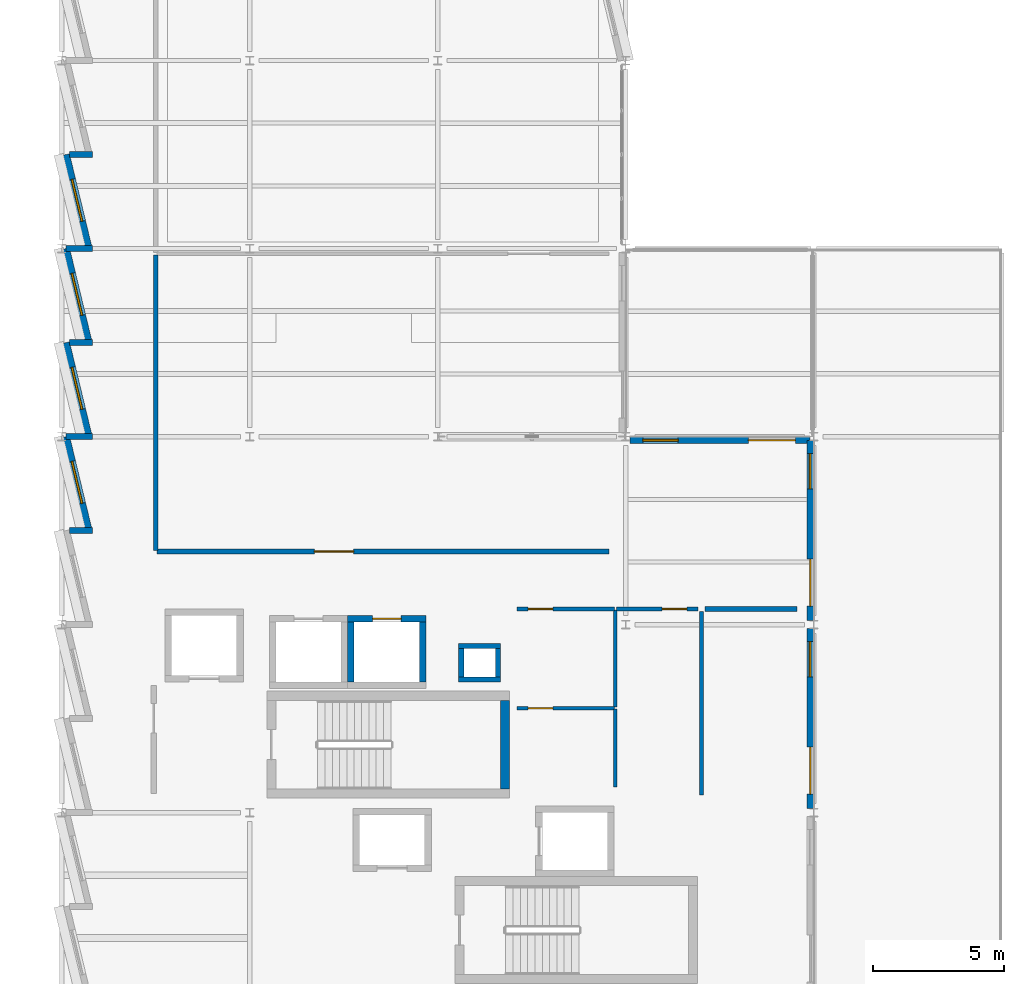
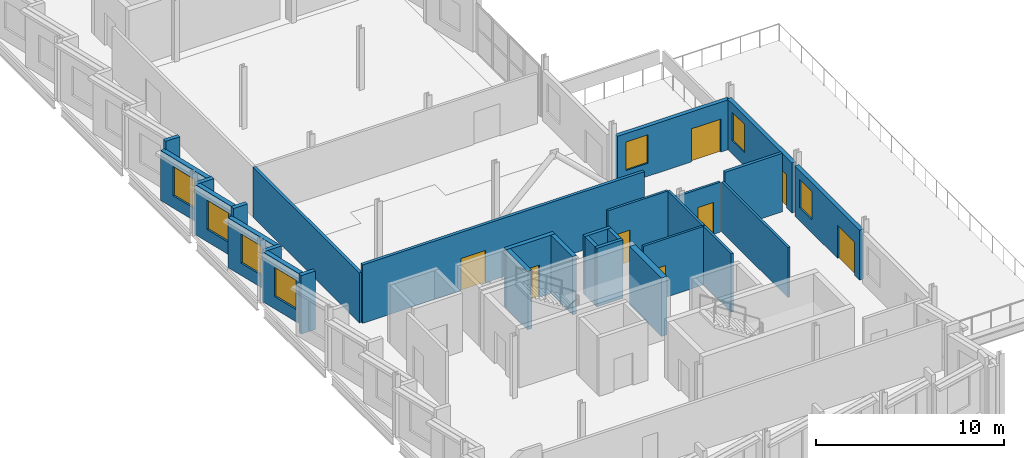
# One storey, part 14 of 18: 29 walls, 8 doors, 7 windows, 15 openings.
"""IFC4 building model written with IfcOpenShell, lengths in metres."""

from ifc_helpers import new_model, si_unit, direction, frame, frame_2d, origin, place, context, subcontext, project, spatial, rectangle, extrude, material, layer, layer_set, type_object, element, fill, save


model = new_model("IFC4")

# Units and contexts
model_context = context("Model", 3, precision=1e-05, world=origin(), true_north=direction((0.0, 1.0)))
body_context = subcontext(model_context, "Body", "Model", "MODEL_VIEW")
ifc_project = project(units=[si_unit("LENGTHUNIT", "METRE"), si_unit("AREAUNIT", "SQUARE_METRE"), si_unit("VOLUMEUNIT", "CUBIC_METRE"), si_unit("PLANEANGLEUNIT", "RADIAN"), si_unit("MASSUNIT", "GRAM", prefix="KILO")], contexts=[model_context])

# Site, building, storey
site_placement = place(None, origin())
site = spatial("IfcSite", under=ifc_project, at=site_placement, CompositionType="ELEMENT")
building_placement = place(site_placement, origin())
building = spatial("IfcBuilding", under=site, at=building_placement, Name="Kalmorath City Hall", CompositionType="ELEMENT")
storey_placement = place(building_placement, frame((0.0, 0.0, 27.0)))
storey = spatial("IfcBuildingStorey", under=building, at=storey_placement, Name="L06", CompositionType="ELEMENT", Elevation=27.0)

# Wall
ifc_material_1 = material(Name="Concrete C50/60", Category="concrete")
ifc_layer_1 = layer(ifc_material_1, 0.35009765625)
ifc_layer_set_1 = layer_set([ifc_layer_1], Name="Concrete C50/60")
wall_type_1 = type_object("IfcWallType", Name="Concrete core shear wall 350", PredefinedType="SHEAR", material=ifc_layer_set_1)
wall_1_placement = place(storey_placement, frame((16.97509765625, 15.300048828125, 0.0), z_axis=(0.0, 0.0, 1.0), x_axis=(0.0, 1.0, 0.0)))
element("IfcWall", 1, at=wall_1_placement, inside=storey, type_object=wall_type_1, Name="L06 C1 stair core shear wall E", PredefinedType="SHEAR", context=body_context, shape_type="SweptSolid", body=[
    extrude(rectangle(XDim=3.39990234375, YDim=0.35009765625, at=frame_2d((1.699951171875, 0.0))), origin(), (0.0, 0.0, 1.0), 3.800048828125),
])

# Wall, opening, door
ifc_material_2 = material(Name="Concrete C50/60", Category="concrete")
ifc_layer_2 = layer(ifc_material_2, 0.25)
ifc_layer_set_2 = layer_set([ifc_layer_2], Name="Concrete C50/60")
wall_type_2 = type_object("IfcWallType", Name="Concrete lift shaft wall 250", PredefinedType="SHEAR", material=ifc_layer_set_2)
wall_2_placement = place(storey_placement, frame((13.949951171875, 21.824951171875, 0.0), z_axis=(0.0, 0.0, 1.0), x_axis=(-1.0, 0.0, 0.0)))
wall_2 = element("IfcWall", 2, at=wall_2_placement, inside=storey, type_object=wall_type_2, Name="L06 PL2 lift shaft wall +y", PredefinedType="SHEAR", context=body_context, shape_type="SweptSolid", body=[
    extrude(rectangle(XDim=3.0, YDim=0.25, at=frame_2d((1.5, 0.0))), origin(), (0.0, 0.0, 1.0), 3.800048828125),
])
opening_1_placement = place(wall_2_placement, frame((0.949951171875, 0.0, 0.0)))
opening_1 = element("IfcOpeningElement", 3, at=opening_1_placement, cuts=wall_2, Name="Opening LD-035", PredefinedType="OPENING", context=body_context, shape_type="SweptSolid", body=[
    extrude(rectangle(XDim=1.10009765625, YDim=2.10009765625, at=frame_2d((0.550048828125, 1.050048828125))), frame((0.0, 0.135009765625, 0.0), z_axis=(0.0, -1.0, 0.0), x_axis=(1.0, 0.0, 0.0)), (0.0, 0.0, 1.0), 0.27001953125),
])
ifc_material_3 = material(Name="Stainless steel sliding landing door", Category="steel")
door_type_1 = type_object("IfcDoorType", Name="Passenger lift sliding landing door 1100x2100", OperationType="SLIDING_TO_LEFT", PredefinedType="DOOR", material=ifc_material_3)
door_1_placement = place(opening_1_placement, origin())
door_1 = element("IfcDoor", 4, at=door_1_placement, inside=storey, type_object=door_type_1, Name="L06 door LD-035", OperationType="SLIDING_TO_LEFT", OverallHeight=2.10009765625, OverallWidth=1.10009765625, PredefinedType="DOOR", context=body_context, shape_type="SweptSolid", body=[
    extrude(rectangle(XDim=1.10009765625, YDim=2.10009765625, at=frame_2d((0.550048828125, 1.050048828125))), frame((0.0, 0.02490234375, 0.0), z_axis=(0.0, -1.0, 0.0), x_axis=(1.0, 0.0, 0.0)), (0.0, 0.0, 1.0), 0.050048828125),
])
fill(opening_1, door_1)

# Walls
for number, where, z_axis, x_axis, name in (
    (5, (11.074951171875, 21.699951171875, 0.0), (0.0, 0.0, 1.0), (0.0, -1.0, 0.0), "L06 PL2 lift shaft wall -x"),
    (6, (13.824951171875, 19.39990234375, 0.0), (0.0, 0.0, 1.0), (0.0, 1.0, 0.0), "L06 PL2 lift shaft wall +x"),
):
    element("IfcWall", number, at=place(storey_placement, frame(where, z_axis=z_axis, x_axis=x_axis)), inside=storey, type_object=wall_type_2, Name=name, PredefinedType="SHEAR", context=body_context, shape_type="SweptSolid", body=[
        extrude(rectangle(XDim=2.300048828125, YDim=0.25, at=frame_2d((1.14990234375, 0.0))), origin(), (0.0, 0.0, 1.0), 3.800048828125),
    ])
ifc_material_4 = material(Name="Concrete C40/50", Category="concrete")
ifc_layer_3 = layer(ifc_material_4, 0.199951171875)
ifc_layer_set_3 = layer_set([ifc_layer_3], Name="Concrete C40/50")
wall_type_3 = type_object("IfcWallType", Name="Concrete service riser wall 200", PredefinedType="SOLIDWALL", material=ifc_layer_set_3)
for number, where, z_axis, x_axis, name in (
    (7, (15.199951171875, 19.5, 0.0), (0.0, 0.0, 1.0), (1.0, 0.0, 0.0), "L06 RSR-1 riser shaft wall S"),
    (8, (16.800048828125, 20.780029296875, 0.0), (0.0, 0.0, 1.0), (-1.0, 0.0, 0.0), "L06 RSR-1 riser shaft wall N"),
):
    element("IfcWall", number, at=place(storey_placement, frame(where, z_axis=z_axis, x_axis=x_axis)), inside=storey, type_object=wall_type_3, Name=name, PredefinedType="SOLIDWALL", context=body_context, shape_type="SweptSolid", body=[
        extrude(rectangle(XDim=1.60009765625, YDim=0.199951171875, at=frame_2d((0.800048828125, 0.0))), origin(), (0.0, 0.0, 1.0), 3.800048828125),
    ])
for number, where, z_axis, x_axis, name in (
    (9, (15.300048828125, 20.679931640625, 0.0), (0.0, 0.0, 1.0), (0.0, -1.0, 0.0), "L06 RSR-1 riser shaft wall W"),
    (10, (16.699951171875, 19.60009765625, 0.0), (0.0, 0.0, 1.0), (0.0, 1.0, 0.0), "L06 RSR-1 riser shaft wall E"),
):
    element("IfcWall", number, at=place(storey_placement, frame(where, z_axis=z_axis, x_axis=x_axis)), inside=storey, type_object=wall_type_3, Name=name, PredefinedType="SOLIDWALL", context=body_context, shape_type="SweptSolid", body=[
        extrude(rectangle(XDim=1.079833984375, YDim=0.199951171875, at=frame_2d((0.5400390625, 0.0))), origin(), (0.0, 0.0, 1.0), 3.800048828125),
    ])
ifc_material_5 = material(Name="Fire-rated acoustic gypsum partition")
ifc_layer_4 = layer(ifc_material_5, 0.179931640625)
ifc_layer_set_4 = layer_set([ifc_layer_4], Name="Fire-rated acoustic gypsum partition")
wall_type_4 = type_object("IfcWallType", Name="One-hour corridor fire partition 180", PredefinedType="PARTITIONING", material=ifc_layer_set_4)
wall_3_placement = place(storey_placement, frame((3.60009765625, 24.43994140625, 0.0), z_axis=(0.0, 0.0, 1.0), x_axis=(0.0, 1.0, 0.0)))
element("IfcWall", 11, at=wall_3_placement, inside=storey, type_object=wall_type_4, Name="L06 interior partition PW2 #185", PredefinedType="PARTITIONING", context=body_context, shape_type="SweptSolid", body=[
    extrude(rectangle(XDim=11.320068359375, YDim=0.179931640625, at=frame_2d((5.66015625, 0.0))), origin(), (0.0, 0.0, 1.0), 3.24609375),
])
wall_4_placement = place(storey_placement, frame((24.639892578125, 22.199951171875, 0.0), z_axis=(0.0, 0.0, 1.0), x_axis=(1.0, 0.0, 0.0)))
element("IfcWall", 12, at=wall_4_placement, inside=storey, type_object=wall_type_4, Name="L06 interior partition PW2 #187", PredefinedType="PARTITIONING", context=body_context, shape_type="SweptSolid", body=[
    extrude(rectangle(XDim=3.52001953125, YDim=0.179931640625, at=frame_2d((1.760009765625, 0.0))), origin(), (0.0, 0.0, 1.0), 3.800048828125),
])

# Wall, opening, door
wall_5_placement = place(storey_placement, frame((3.639892578125, 24.39990234375, 0.0), z_axis=(0.0, 0.0, 1.0), x_axis=(1.0, 0.0, 0.0)))
wall_5 = element("IfcWall", 13, at=wall_5_placement, inside=storey, type_object=wall_type_4, Name="L06 interior partition PW2 #188", PredefinedType="PARTITIONING", context=body_context, shape_type="SweptSolid", body=[
    extrude(rectangle(XDim=17.320068359375, YDim=0.179931640625, at=frame_2d((8.66015625, 0.0))), origin(), (0.0, 0.0, 1.0), 3.800048828125),
])
opening_2_placement = place(wall_5_placement, frame((6.03759765625, 0.0, 0.0)))
opening_2 = element("IfcOpeningElement", 14, at=opening_2_placement, cuts=wall_5, Name="Opening D-L06-263", PredefinedType="OPENING", context=body_context, shape_type="SweptSolid", body=[
    extrude(rectangle(XDim=1.5, YDim=2.10009765625, at=frame_2d((0.75, 1.050048828125))), frame((0.0, 0.099853515625, 0.0), z_axis=(0.0, -1.0, 0.0), x_axis=(1.0, 0.0, 0.0)), (0.0, 0.0, 1.0), 0.199951171875),
])
ifc_material_6 = material(Name="Hardwood veneer door", Category="wood")
door_type_2 = type_object("IfcDoorType", Name="Conference suite double door 1500x2100", OperationType="DOUBLE_DOOR_SINGLE_SWING", PredefinedType="DOOR", material=ifc_material_6)
door_2_placement = place(opening_2_placement, origin())
door_2 = element("IfcDoor", 15, at=door_2_placement, inside=storey, type_object=door_type_2, Name="L06 door D-L06-263", OperationType="DOUBLE_DOOR_SINGLE_SWING", OverallHeight=2.10009765625, OverallWidth=1.5, PredefinedType="DOOR", context=body_context, shape_type="SweptSolid", body=[
    extrude(rectangle(XDim=1.5, YDim=2.10009765625, at=frame_2d((0.75, 1.050048828125))), frame((0.0, 0.02490234375, 0.0), z_axis=(0.0, -1.0, 0.0), x_axis=(1.0, 0.0, 0.0)), (0.0, 0.0, 1.0), 0.050048828125),
])
fill(opening_2, door_2)

# Walls
ifc_material_7 = material(Name="Precast concrete C40/50", Category="concrete")
ifc_layer_5 = layer(ifc_material_7, 0.239990234375)
ifc_layer_set_5 = layer_set([ifc_layer_5], Name="Precast concrete C40/50")
wall_type_5 = type_object("IfcWallType", Name="Precast sawtooth cheek wall 240", PredefinedType="SOLIDWALL", material=ifc_layer_set_5)
wall_6_placement = place(storey_placement, frame((1.169189453125, 39.60009765625, 0.0), z_axis=(0.0, 0.0, 1.0), x_axis=(-1.0, 0.0, 0.0)))
element("IfcWall", 16, at=wall_6_placement, inside=storey, type_object=wall_type_5, Name="L06 sawtooth return cheek #1024", PredefinedType="SOLIDWALL", context=body_context, shape_type="SweptSolid", body=[
    extrude(rectangle(XDim=0.877197265625, YDim=0.239990234375, at=frame_2d((0.4384765625, 0.0))), origin(), (0.0, 0.0, 1.0), 3.800048828125),
])
wall_7_placement = place(storey_placement, frame((1.169189453125, 36.0, 0.0), z_axis=(0.0, 0.0, 1.0), x_axis=(-1.0, 0.0, 0.0)))
element("IfcWall", 17, at=wall_7_placement, inside=storey, type_object=wall_type_5, Name="L06 sawtooth return cheek #1026", PredefinedType="SOLIDWALL", context=body_context, shape_type="SweptSolid", body=[
    extrude(rectangle(XDim=1.0146484375, YDim=0.239990234375, at=frame_2d((0.50732421875, 0.0))), origin(), (0.0, 0.0, 1.0), 3.256103515625),
])
wall_8_placement = place(storey_placement, frame((1.169189453125, 32.39990234375, 0.0), z_axis=(0.0, 0.0, 1.0), x_axis=(-1.0, 0.0, 0.0)))
element("IfcWall", 18, at=wall_8_placement, inside=storey, type_object=wall_type_5, Name="L06 sawtooth return cheek #1028", PredefinedType="SOLIDWALL", context=body_context, shape_type="SweptSolid", body=[
    extrude(rectangle(XDim=0.877197265625, YDim=0.239990234375, at=frame_2d((0.4384765625, 0.0))), origin(), (0.0, 0.0, 1.0), 3.800048828125),
])
wall_9_placement = place(storey_placement, frame((1.169189453125, 28.800048828125, 0.0), z_axis=(0.0, 0.0, 1.0), x_axis=(-1.0, 0.0, 0.0)))
element("IfcWall", 19, at=wall_9_placement, inside=storey, type_object=wall_type_5, Name="L06 sawtooth return cheek #1030", PredefinedType="SOLIDWALL", context=body_context, shape_type="SweptSolid", body=[
    extrude(rectangle(XDim=1.0146484375, YDim=0.239990234375, at=frame_2d((0.50732421875, 0.0))), origin(), (0.0, 0.0, 1.0), 3.24609375),
])
wall_10_placement = place(storey_placement, frame((1.169189453125, 25.199951171875, 0.0), z_axis=(0.0, 0.0, 1.0), x_axis=(-1.0, 0.0, 0.0)))
element("IfcWall", 20, at=wall_10_placement, inside=storey, type_object=wall_type_5, Name="L06 sawtooth return cheek #1032", PredefinedType="SOLIDWALL", context=body_context, shape_type="SweptSolid", body=[
    extrude(rectangle(XDim=0.877197265625, YDim=0.239990234375, at=frame_2d((0.4384765625, 0.0))), origin(), (0.0, 0.0, 1.0), 3.800048828125),
])

# Wall, opening, window
ifc_material_8 = material(Name="Precast concrete C40/50", Category="concrete")
ifc_layer_6 = layer(ifc_material_8, 0.280029296875)
ifc_layer_set_6 = layer_set([ifc_layer_6], Name="Precast concrete C40/50")
wall_type_6 = type_object("IfcWallType", Name="Precast sawtooth facade wall 280", PredefinedType="SOLIDWALL", material=ifc_layer_set_6)
wall_11_placement = place(storey_placement, frame((0.159912109375, 39.60009765625, 0.0), z_axis=(0.0, 0.0, 1.0), x_axis=(0.233480453725, -0.972361495396, 0.0)))
wall_11 = element("IfcWall", 21, at=wall_11_placement, inside=storey, type_object=wall_type_6, Name="L06 sawtooth precast frame #1025", PredefinedType="SOLIDWALL", context=body_context, shape_type="SweptSolid", body=[
    extrude(rectangle(XDim=3.607421875, YDim=0.280029296875, at=frame_2d((1.8037109375, 0.0))), origin(), (0.0, 0.0, 1.0), 3.256103515625),
])
opening_3_placement = place(wall_11_placement, frame((0.978515625, 0.0, 0.800048828125)))
opening_3 = element("IfcOpeningElement", 22, at=opening_3_placement, cuts=wall_11, Name="Opening WN2", PredefinedType="OPENING", context=body_context, shape_type="SweptSolid", body=[
    extrude(rectangle(XDim=1.64990234375, YDim=1.89990234375, at=frame_2d((0.824951171875, 0.949951171875))), frame((0.0, 0.14990234375, 0.0), z_axis=(0.0, -1.0, 0.0), x_axis=(1.0, 0.0, 0.0)), (0.0, 0.0, 1.0), 0.300048828125),
])
ifc_material_9 = material(Name="Aluminium and laminated glass", Category="aluminium")
window_type_1 = type_object("IfcWindowType", Name="Sawtooth hurricane window 1650x1900", PartitioningType="SINGLE_PANEL", PredefinedType="WINDOW", material=ifc_material_9)
window_1_placement = place(opening_3_placement, origin())
window_1 = element("IfcWindow", 23, at=window_1_placement, inside=storey, type_object=window_type_1, Name="L06 window WN2-525", OverallHeight=1.89990234375, OverallWidth=1.64990234375, PartitioningType="SINGLE_PANEL", PredefinedType="WINDOW", context=body_context, shape_type="SweptSolid", body=[
    extrude(rectangle(XDim=1.64990234375, YDim=1.89990234375, at=frame_2d((0.824951171875, 0.949951171875))), frame((0.0, 0.030029296875, 0.0), z_axis=(0.0, -1.0, 0.0), x_axis=(1.0, 0.0, 0.0)), (0.0, 0.0, 1.0), 0.06005859375),
])
fill(opening_3, window_1)

wall_12_placement = place(storey_placement, frame((0.159912109375, 36.0, 0.0), z_axis=(0.0, 0.0, 1.0), x_axis=(0.233495818898, -0.972357805829, 0.0)))
wall_12 = element("IfcWall", 24, at=wall_12_placement, inside=storey, type_object=wall_type_6, Name="L06 sawtooth precast frame #1027", PredefinedType="SOLIDWALL", context=body_context, shape_type="SweptSolid", body=[
    extrude(rectangle(XDim=3.607177734375, YDim=0.280029296875, at=frame_2d((1.8037109375, 0.0))), origin(), (0.0, 0.0, 1.0), 3.256103515625),
])
opening_4_placement = place(wall_12_placement, frame((0.978515625, 0.0, 0.800048828125)))
opening_4 = element("IfcOpeningElement", 25, at=opening_4_placement, cuts=wall_12, Name="Opening WN2", PredefinedType="OPENING", context=body_context, shape_type="SweptSolid", body=[
    extrude(rectangle(XDim=1.64990234375, YDim=1.89990234375, at=frame_2d((0.824951171875, 0.949951171875))), frame((0.0, 0.14990234375, 0.0), z_axis=(0.0, -1.0, 0.0), x_axis=(1.0, 0.0, 0.0)), (0.0, 0.0, 1.0), 0.300048828125),
])
window_2_placement = place(opening_4_placement, origin())
window_2 = element("IfcWindow", 26, at=window_2_placement, inside=storey, type_object=window_type_1, Name="L06 window WN2-526", OverallHeight=1.89990234375, OverallWidth=1.64990234375, PartitioningType="SINGLE_PANEL", PredefinedType="WINDOW", context=body_context, shape_type="SweptSolid", body=[
    extrude(rectangle(XDim=1.64990234375, YDim=1.89990234375, at=frame_2d((0.824951171875, 0.949951171875))), frame((0.0, 0.030029296875, 0.0), z_axis=(0.0, -1.0, 0.0), x_axis=(1.0, 0.0, 0.0)), (0.0, 0.0, 1.0), 0.06005859375),
])
fill(opening_4, window_2)

wall_13_placement = place(storey_placement, frame((0.159912109375, 32.39990234375, 0.0), z_axis=(0.0, 0.0, 1.0), x_axis=(0.233495818898, -0.972357805829, 0.0)))
wall_13 = element("IfcWall", 27, at=wall_13_placement, inside=storey, type_object=wall_type_6, Name="L06 sawtooth precast frame #1029", PredefinedType="SOLIDWALL", context=body_context, shape_type="SweptSolid", body=[
    extrude(rectangle(XDim=3.607177734375, YDim=0.280029296875, at=frame_2d((1.8037109375, 0.0))), origin(), (0.0, 0.0, 1.0), 3.24609375),
])
opening_5_placement = place(wall_13_placement, frame((0.978515625, 0.0, 0.800048828125)))
opening_5 = element("IfcOpeningElement", 28, at=opening_5_placement, cuts=wall_13, Name="Opening WN2", PredefinedType="OPENING", context=body_context, shape_type="SweptSolid", body=[
    extrude(rectangle(XDim=1.64990234375, YDim=1.89990234375, at=frame_2d((0.824951171875, 0.949951171875))), frame((0.0, 0.14990234375, 0.0), z_axis=(0.0, -1.0, 0.0), x_axis=(1.0, 0.0, 0.0)), (0.0, 0.0, 1.0), 0.300048828125),
])
window_3_placement = place(opening_5_placement, origin())
window_3 = element("IfcWindow", 29, at=window_3_placement, inside=storey, type_object=window_type_1, Name="L06 window WN2-527", OverallHeight=1.89990234375, OverallWidth=1.64990234375, PartitioningType="SINGLE_PANEL", PredefinedType="WINDOW", context=body_context, shape_type="SweptSolid", body=[
    extrude(rectangle(XDim=1.64990234375, YDim=1.89990234375, at=frame_2d((0.824951171875, 0.949951171875))), frame((0.0, 0.030029296875, 0.0), z_axis=(0.0, -1.0, 0.0), x_axis=(1.0, 0.0, 0.0)), (0.0, 0.0, 1.0), 0.06005859375),
])
fill(opening_5, window_3)

wall_14_placement = place(storey_placement, frame((0.159912109375, 28.800048828125, 0.0), z_axis=(0.0, 0.0, 1.0), x_axis=(0.233495818898, -0.972357805829, 0.0)))
wall_14 = element("IfcWall", 30, at=wall_14_placement, inside=storey, type_object=wall_type_6, Name="L06 sawtooth precast frame #1031", PredefinedType="SOLIDWALL", context=body_context, shape_type="SweptSolid", body=[
    extrude(rectangle(XDim=3.607177734375, YDim=0.280029296875, at=frame_2d((1.8037109375, 0.0))), origin(), (0.0, 0.0, 1.0), 3.24609375),
])
opening_6_placement = place(wall_14_placement, frame((0.978515625, 0.0, 0.800048828125)))
opening_6 = element("IfcOpeningElement", 31, at=opening_6_placement, cuts=wall_14, Name="Opening WN2", PredefinedType="OPENING", context=body_context, shape_type="SweptSolid", body=[
    extrude(rectangle(XDim=1.64990234375, YDim=1.89990234375, at=frame_2d((0.824951171875, 0.949951171875))), frame((0.0, 0.14990234375, 0.0), z_axis=(0.0, -1.0, 0.0), x_axis=(1.0, 0.0, 0.0)), (0.0, 0.0, 1.0), 0.300048828125),
])
window_4_placement = place(opening_6_placement, origin())
window_4 = element("IfcWindow", 32, at=window_4_placement, inside=storey, type_object=window_type_1, Name="L06 window WN2-528", OverallHeight=1.89990234375, OverallWidth=1.64990234375, PartitioningType="SINGLE_PANEL", PredefinedType="WINDOW", context=body_context, shape_type="SweptSolid", body=[
    extrude(rectangle(XDim=1.64990234375, YDim=1.89990234375, at=frame_2d((0.824951171875, 0.949951171875))), frame((0.0, 0.030029296875, 0.0), z_axis=(0.0, -1.0, 0.0), x_axis=(1.0, 0.0, 0.0)), (0.0, 0.0, 1.0), 0.06005859375),
])
fill(opening_6, window_4)

# Wall, openings, door, window
ifc_material_10 = material(Name="Precast concrete C40/50", Category="concrete")
ifc_layer_7 = layer(ifc_material_10, 0.239990234375)
ifc_layer_set_7 = layer_set([ifc_layer_7], Name="Precast concrete C40/50")
wall_type_7 = type_object("IfcWallType", Name="Recessed loggia insulated wall 240", PredefinedType="SOLIDWALL", material=ifc_layer_set_7)
wall_15_placement = place(storey_placement, frame((28.659912109375, 14.554931640625, 0.0), z_axis=(0.0, 0.0, 1.0), x_axis=(0.0, 1.0, 0.0)))
wall_15 = element("IfcWall", 33, at=wall_15_placement, inside=storey, type_object=wall_type_7, Name="L06 loggia wall #983", PredefinedType="SOLIDWALL", context=body_context, shape_type="SweptSolid", body=[
    extrude(rectangle(XDim=6.89013671875, YDim=0.239990234375, at=frame_2d((3.445068359375, 0.0))), origin(), (0.0, 0.0, 1.0), 3.256103515625),
])
opening_7_placement = place(wall_15_placement, frame((0.550048828125, 0.0, 0.0)))
opening_7 = element("IfcOpeningElement", 34, at=opening_7_placement, cuts=wall_15, Name="Opening D-E038", PredefinedType="OPENING", context=body_context, shape_type="SweptSolid", body=[
    extrude(rectangle(XDim=1.800048828125, YDim=2.14990234375, at=frame_2d((0.89990234375, 1.074951171875))), frame((0.0, 0.1298828125, 0.0), z_axis=(0.0, -1.0, 0.0), x_axis=(1.0, 0.0, 0.0)), (0.0, 0.0, 1.0), 0.260009765625),
])
opening_8_placement = place(wall_15_placement, frame((5.0400390625, 0.0, 0.85009765625)))
opening_8 = element("IfcOpeningElement", 35, at=opening_8_placement, cuts=wall_15, Name="Opening WN17", PredefinedType="OPENING", context=body_context, shape_type="SweptSolid", body=[
    extrude(rectangle(XDim=1.35009765625, YDim=1.85009765625, at=frame_2d((0.675048828125, 0.925048828125))), frame((0.0, 0.1298828125, 0.0), z_axis=(0.0, -1.0, 0.0), x_axis=(1.0, 0.0, 0.0)), (0.0, 0.0, 1.0), 0.260009765625),
])
ifc_material_11 = material(Name="Bronze-anodised aluminium and glass", Category="aluminium")
door_type_3 = type_object("IfcDoorType", Name="Roof garden double terrace door 1800x2150", OperationType="DOUBLE_DOOR_SINGLE_SWING", PredefinedType="DOOR", material=ifc_material_11)
door_3_placement = place(opening_7_placement, frame((1.800048828125, 0.0, 0.0), z_axis=(0.0, 0.0, 1.0), x_axis=(-1.0, 0.0, 0.0)))
door_3 = element("IfcDoor", 36, at=door_3_placement, inside=storey, type_object=door_type_3, Name="L06 exterior door D-E038", OperationType="DOUBLE_DOOR_SINGLE_SWING", OverallHeight=2.14990234375, OverallWidth=1.800048828125, PredefinedType="DOOR", context=body_context, shape_type="SweptSolid", body=[
    extrude(rectangle(XDim=1.800048828125, YDim=2.14990234375, at=frame_2d((0.89990234375, 1.074951171875))), frame((0.0, 0.02490234375, 0.0), z_axis=(0.0, -1.0, 0.0), x_axis=(1.0, 0.0, 0.0)), (0.0, 0.0, 1.0), 0.050048828125),
])
fill(opening_7, door_3)
ifc_material_12 = material(Name="Hardwood-trimmed laminated glass", Category="wood")
window_type_2 = type_object("IfcWindowType", Name="Terrace overlook window 1350x1850", PartitioningType="SINGLE_PANEL", PredefinedType="WINDOW", material=ifc_material_12)
window_5_placement = place(opening_8_placement, origin())
window_5 = element("IfcWindow", 37, at=window_5_placement, inside=storey, type_object=window_type_2, Name="L06 window WN17-504", OverallHeight=1.85009765625, OverallWidth=1.35009765625, PartitioningType="SINGLE_PANEL", PredefinedType="WINDOW", context=body_context, shape_type="SweptSolid", body=[
    extrude(rectangle(XDim=1.35009765625, YDim=1.85009765625, at=frame_2d((0.675048828125, 0.925048828125))), frame((0.0, 0.030029296875, 0.0), z_axis=(0.0, -1.0, 0.0), x_axis=(1.0, 0.0, 0.0)), (0.0, 0.0, 1.0), 0.06005859375),
])
fill(opening_8, window_5)

wall_16_placement = place(storey_placement, frame((28.659912109375, 21.7548828125, 0.0), z_axis=(0.0, 0.0, 1.0), x_axis=(0.0, 1.0, 0.0)))
wall_16 = element("IfcWall", 38, at=wall_16_placement, inside=storey, type_object=wall_type_7, Name="L06 loggia wall #984", PredefinedType="SOLIDWALL", context=body_context, shape_type="SweptSolid", body=[
    extrude(rectangle(XDim=6.89013671875, YDim=0.239990234375, at=frame_2d((3.445068359375, 0.0))), origin(), (0.0, 0.0, 1.0), 3.256103515625),
])
opening_9_placement = place(wall_16_placement, frame((0.550048828125, 0.0, 0.0)))
opening_9 = element("IfcOpeningElement", 39, at=opening_9_placement, cuts=wall_16, Name="Opening D-E039", PredefinedType="OPENING", context=body_context, shape_type="SweptSolid", body=[
    extrude(rectangle(XDim=1.800048828125, YDim=2.14990234375, at=frame_2d((0.89990234375, 1.074951171875))), frame((0.0, 0.1298828125, 0.0), z_axis=(0.0, -1.0, 0.0), x_axis=(1.0, 0.0, 0.0)), (0.0, 0.0, 1.0), 0.260009765625),
])
opening_10_placement = place(wall_16_placement, frame((5.0400390625, 0.0, 0.85009765625)))
opening_10 = element("IfcOpeningElement", 40, at=opening_10_placement, cuts=wall_16, Name="Opening WN17", PredefinedType="OPENING", context=body_context, shape_type="SweptSolid", body=[
    extrude(rectangle(XDim=1.35009765625, YDim=1.85009765625, at=frame_2d((0.675048828125, 0.925048828125))), frame((0.0, 0.1298828125, 0.0), z_axis=(0.0, -1.0, 0.0), x_axis=(1.0, 0.0, 0.0)), (0.0, 0.0, 1.0), 0.260009765625),
])
door_4_placement = place(opening_9_placement, frame((1.800048828125, 0.0, 0.0), z_axis=(0.0, 0.0, 1.0), x_axis=(-1.0, 0.0, 0.0)))
door_4 = element("IfcDoor", 41, at=door_4_placement, inside=storey, type_object=door_type_3, Name="L06 exterior door D-E039", OperationType="DOUBLE_DOOR_SINGLE_SWING", OverallHeight=2.14990234375, OverallWidth=1.800048828125, PredefinedType="DOOR", context=body_context, shape_type="SweptSolid", body=[
    extrude(rectangle(XDim=1.800048828125, YDim=2.14990234375, at=frame_2d((0.89990234375, 1.074951171875))), frame((0.0, 0.02490234375, 0.0), z_axis=(0.0, -1.0, 0.0), x_axis=(1.0, 0.0, 0.0)), (0.0, 0.0, 1.0), 0.050048828125),
])
fill(opening_9, door_4)
window_6_placement = place(opening_10_placement, origin())
window_6 = element("IfcWindow", 42, at=window_6_placement, inside=storey, type_object=window_type_2, Name="L06 window WN17-505", OverallHeight=1.85009765625, OverallWidth=1.35009765625, PartitioningType="SINGLE_PANEL", PredefinedType="WINDOW", context=body_context, shape_type="SweptSolid", body=[
    extrude(rectangle(XDim=1.35009765625, YDim=1.85009765625, at=frame_2d((0.675048828125, 0.925048828125))), frame((0.0, 0.030029296875, 0.0), z_axis=(0.0, -1.0, 0.0), x_axis=(1.0, 0.0, 0.0)), (0.0, 0.0, 1.0), 0.06005859375),
])
fill(opening_10, window_6)

wall_17_placement = place(storey_placement, frame((28.646484375, 28.659912109375, 0.0), z_axis=(0.0, 0.0, 1.0), x_axis=(-1.0, 0.0, 0.0)))
wall_17 = element("IfcWall", 43, at=wall_17_placement, inside=storey, type_object=wall_type_7, Name="L06 loggia wall #985", PredefinedType="SOLIDWALL", context=body_context, shape_type="SweptSolid", body=[
    extrude(rectangle(XDim=6.89306640625, YDim=0.239990234375, at=frame_2d((3.446533203125, 0.0))), origin(), (0.0, 0.0, 1.0), 3.24609375),
])
opening_11_placement = place(wall_17_placement, frame((0.550048828125, 0.0, 0.0)))
opening_11 = element("IfcOpeningElement", 44, at=opening_11_placement, cuts=wall_17, Name="Opening D-E040", PredefinedType="OPENING", context=body_context, shape_type="SweptSolid", body=[
    extrude(rectangle(XDim=1.800048828125, YDim=2.14990234375, at=frame_2d((0.89990234375, 1.074951171875))), frame((0.0, 0.1298828125, 0.0), z_axis=(0.0, -1.0, 0.0), x_axis=(1.0, 0.0, 0.0)), (0.0, 0.0, 1.0), 0.260009765625),
])
opening_12_placement = place(wall_17_placement, frame((5.04296875, 0.0, 0.85009765625)))
opening_12 = element("IfcOpeningElement", 45, at=opening_12_placement, cuts=wall_17, Name="Opening WN17", PredefinedType="OPENING", context=body_context, shape_type="SweptSolid", body=[
    extrude(rectangle(XDim=1.35009765625, YDim=1.85009765625, at=frame_2d((0.675048828125, 0.925048828125))), frame((0.0, 0.1298828125, 0.0), z_axis=(0.0, -1.0, 0.0), x_axis=(1.0, 0.0, 0.0)), (0.0, 0.0, 1.0), 0.260009765625),
])
door_5_placement = place(opening_11_placement, frame((1.800048828125, 0.0, 0.0), z_axis=(0.0, 0.0, 1.0), x_axis=(-1.0, 0.0, 0.0)))
door_5 = element("IfcDoor", 46, at=door_5_placement, inside=storey, type_object=door_type_3, Name="L06 exterior door D-E040", OperationType="DOUBLE_DOOR_SINGLE_SWING", OverallHeight=2.14990234375, OverallWidth=1.800048828125, PredefinedType="DOOR", context=body_context, shape_type="SweptSolid", body=[
    extrude(rectangle(XDim=1.800048828125, YDim=2.14990234375, at=frame_2d((0.89990234375, 1.074951171875))), frame((0.0, 0.02490234375, 0.0), z_axis=(0.0, -1.0, 0.0), x_axis=(1.0, 0.0, 0.0)), (0.0, 0.0, 1.0), 0.050048828125),
])
fill(opening_11, door_5)
window_7_placement = place(opening_12_placement, origin())
window_7 = element("IfcWindow", 47, at=window_7_placement, inside=storey, type_object=window_type_2, Name="L06 window WN17-506", OverallHeight=1.85009765625, OverallWidth=1.35009765625, PartitioningType="SINGLE_PANEL", PredefinedType="WINDOW", context=body_context, shape_type="SweptSolid", body=[
    extrude(rectangle(XDim=1.35009765625, YDim=1.85009765625, at=frame_2d((0.675048828125, 0.925048828125))), frame((0.0, 0.030029296875, 0.0), z_axis=(0.0, -1.0, 0.0), x_axis=(1.0, 0.0, 0.0)), (0.0, 0.0, 1.0), 0.06005859375),
])
fill(opening_12, window_7)

# Wall, opening, door
ifc_material_13 = material(Name="Moisture-resistant fire-rated partition")
ifc_layer_8 = layer(ifc_material_13, 0.139892578125)
ifc_layer_set_8 = layer_set([ifc_layer_8], Name="Moisture-resistant fire-rated partition")
wall_type_8 = type_object("IfcWallType", Name="Restroom wet-wall tile partition 140", PredefinedType="PARTITIONING", material=ifc_layer_set_8)
wall_18_placement = place(storey_placement, frame((17.43994140625, 22.199951171875, 0.0), z_axis=(0.0, 0.0, 1.0), x_axis=(1.0, 0.0, 0.0)))
wall_18 = element("IfcWall", 48, at=wall_18_placement, inside=storey, type_object=wall_type_8, Name="L06 interior partition PW5 #189", PredefinedType="PARTITIONING", context=body_context, shape_type="SweptSolid", body=[
    extrude(rectangle(XDim=3.719970703125, YDim=0.139892578125, at=frame_2d((1.85986328125, 0.0))), origin(), (0.0, 0.0, 1.0), 3.800048828125),
])
opening_13_placement = place(wall_18_placement, frame((0.419921875, 0.0, 0.0)))
opening_13 = element("IfcOpeningElement", 49, at=opening_13_placement, cuts=wall_18, Name="Opening D-L06-269", PredefinedType="OPENING", context=body_context, shape_type="SweptSolid", body=[
    extrude(rectangle(XDim=0.949951171875, YDim=2.080078125, at=frame_2d((0.47509765625, 1.0400390625))), frame((0.0, 0.079833984375, 0.0), z_axis=(0.0, -1.0, 0.0), x_axis=(1.0, 0.0, 0.0)), (0.0, 0.0, 1.0), 0.159912109375),
])
ifc_material_14 = material(Name="Laminate solid-core door")
door_type_4 = type_object("IfcDoorType", Name="Restroom accessible door 950x2080", OperationType="NOTDEFINED", PredefinedType="DOOR", material=ifc_material_14)
door_6_placement = place(opening_13_placement, origin())
door_6 = element("IfcDoor", 50, at=door_6_placement, inside=storey, type_object=door_type_4, Name="L06 door D-L06-269", OperationType="SINGLE_SWING_LEFT", OverallHeight=2.080078125, OverallWidth=0.949951171875, PredefinedType="DOOR", context=body_context, shape_type="SweptSolid", body=[
    extrude(rectangle(XDim=0.949951171875, YDim=2.080078125, at=frame_2d((0.47509765625, 1.0400390625))), frame((0.0, 0.02490234375, 0.0), z_axis=(0.0, -1.0, 0.0), x_axis=(1.0, 0.0, 0.0)), (0.0, 0.0, 1.0), 0.050048828125),
])
fill(opening_13, door_6)

wall_19_placement = place(storey_placement, frame((21.239990234375, 22.199951171875, 0.0), z_axis=(0.0, 0.0, 1.0), x_axis=(1.0, 0.0, 0.0)))
wall_19 = element("IfcWall", 51, at=wall_19_placement, inside=storey, type_object=wall_type_8, Name="L06 interior partition PW5 #190", PredefinedType="PARTITIONING", context=body_context, shape_type="SweptSolid", body=[
    extrude(rectangle(XDim=3.1201171875, YDim=0.139892578125, at=frame_2d((1.56005859375, 0.0))), origin(), (0.0, 0.0, 1.0), 3.24609375),
])
opening_14_placement = place(wall_19_placement, frame((1.75, 0.0, 0.0)))
opening_14 = element("IfcOpeningElement", 52, at=opening_14_placement, cuts=wall_19, Name="Opening D-L06-270", PredefinedType="OPENING", context=body_context, shape_type="SweptSolid", body=[
    extrude(rectangle(XDim=0.949951171875, YDim=2.080078125, at=frame_2d((0.47509765625, 1.0400390625))), frame((0.0, 0.079833984375, 0.0), z_axis=(0.0, -1.0, 0.0), x_axis=(1.0, 0.0, 0.0)), (0.0, 0.0, 1.0), 0.159912109375),
])
door_7_placement = place(opening_14_placement, origin())
door_7 = element("IfcDoor", 53, at=door_7_placement, inside=storey, type_object=door_type_4, Name="L06 door D-L06-270", OperationType="SINGLE_SWING_RIGHT", OverallHeight=2.080078125, OverallWidth=0.949951171875, PredefinedType="DOOR", context=body_context, shape_type="SweptSolid", body=[
    extrude(rectangle(XDim=0.949951171875, YDim=2.080078125, at=frame_2d((0.47509765625, 1.0400390625))), frame((0.0, 0.02490234375, 0.0), z_axis=(0.0, -1.0, 0.0), x_axis=(1.0, 0.0, 0.0)), (0.0, 0.0, 1.0), 0.050048828125),
])
fill(opening_14, door_7)

# Wall
wall_20_placement = place(storey_placement, frame((24.5, 15.07080078125, 0.0), z_axis=(0.0, 0.0, 1.0), x_axis=(0.0, 1.0, 0.0)))
element("IfcWall", 54, at=wall_20_placement, inside=storey, type_object=wall_type_8, Name="L06 interior partition PW5 #193", PredefinedType="PARTITIONING", context=body_context, shape_type="SweptSolid", body=[
    extrude(rectangle(XDim=7.035400390625, YDim=0.139892578125, at=frame_2d((3.517578125, 0.0))), origin(), (0.0, 0.0, 1.0), 3.24609375),
])

# Wall, opening, door
wall_21_placement = place(storey_placement, frame((17.43994140625, 18.39990234375, 0.0), z_axis=(0.0, 0.0, 1.0), x_axis=(1.0, 0.0, 0.0)))
wall_21 = element("IfcWall", 55, at=wall_21_placement, inside=storey, type_object=wall_type_8, Name="L06 interior partition PW5 #197", PredefinedType="PARTITIONING", context=body_context, shape_type="SweptSolid", body=[
    extrude(rectangle(XDim=3.719970703125, YDim=0.139892578125, at=frame_2d((1.85986328125, 0.0))), origin(), (0.0, 0.0, 1.0), 3.800048828125),
])
opening_15_placement = place(wall_21_placement, frame((0.419921875, 0.0, 0.0)))
opening_15 = element("IfcOpeningElement", 56, at=opening_15_placement, cuts=wall_21, Name="Opening D-L06-268", PredefinedType="OPENING", context=body_context, shape_type="SweptSolid", body=[
    extrude(rectangle(XDim=0.949951171875, YDim=2.080078125, at=frame_2d((0.47509765625, 1.0400390625))), frame((0.0, 0.079833984375, 0.0), z_axis=(0.0, -1.0, 0.0), x_axis=(1.0, 0.0, 0.0)), (0.0, 0.0, 1.0), 0.159912109375),
])
door_8_placement = place(opening_15_placement, origin())
door_8 = element("IfcDoor", 57, at=door_8_placement, inside=storey, type_object=door_type_4, Name="L06 door D-L06-268", OperationType="SINGLE_SWING_RIGHT", OverallHeight=2.080078125, OverallWidth=0.949951171875, PredefinedType="DOOR", context=body_context, shape_type="SweptSolid", body=[
    extrude(rectangle(XDim=0.949951171875, YDim=2.080078125, at=frame_2d((0.47509765625, 1.0400390625))), frame((0.0, 0.02490234375, 0.0), z_axis=(0.0, -1.0, 0.0), x_axis=(1.0, 0.0, 0.0)), (0.0, 0.0, 1.0), 0.050048828125),
])
fill(opening_15, door_8)

# Walls
wall_22_placement = place(storey_placement, frame((21.199951171875, 15.389892578125, 0.0), z_axis=(0.0, 0.0, 1.0), x_axis=(0.0, 1.0, 0.0)))
element("IfcWall", 58, at=wall_22_placement, inside=storey, type_object=wall_type_8, Name="L06 interior partition PW5 #198", PredefinedType="PARTITIONING", context=body_context, shape_type="SweptSolid", body=[
    extrude(rectangle(XDim=2.97021484375, YDim=0.139892578125, at=frame_2d((1.485107421875, 0.0))), origin(), (0.0, 0.0, 1.0), 3.800048828125),
])
wall_23_placement = place(storey_placement, frame((21.199951171875, 18.43994140625, 0.0), z_axis=(0.0, 0.0, 1.0), x_axis=(0.0, 1.0, 0.0)))
element("IfcWall", 59, at=wall_23_placement, inside=storey, type_object=wall_type_8, Name="L06 interior partition PW5 #199", PredefinedType="PARTITIONING", context=body_context, shape_type="SweptSolid", body=[
    extrude(rectangle(XDim=3.719970703125, YDim=0.139892578125, at=frame_2d((1.85986328125, 0.0))), origin(), (0.0, 0.0, 1.0), 3.800048828125),
])

save(model, "model.ifc")
